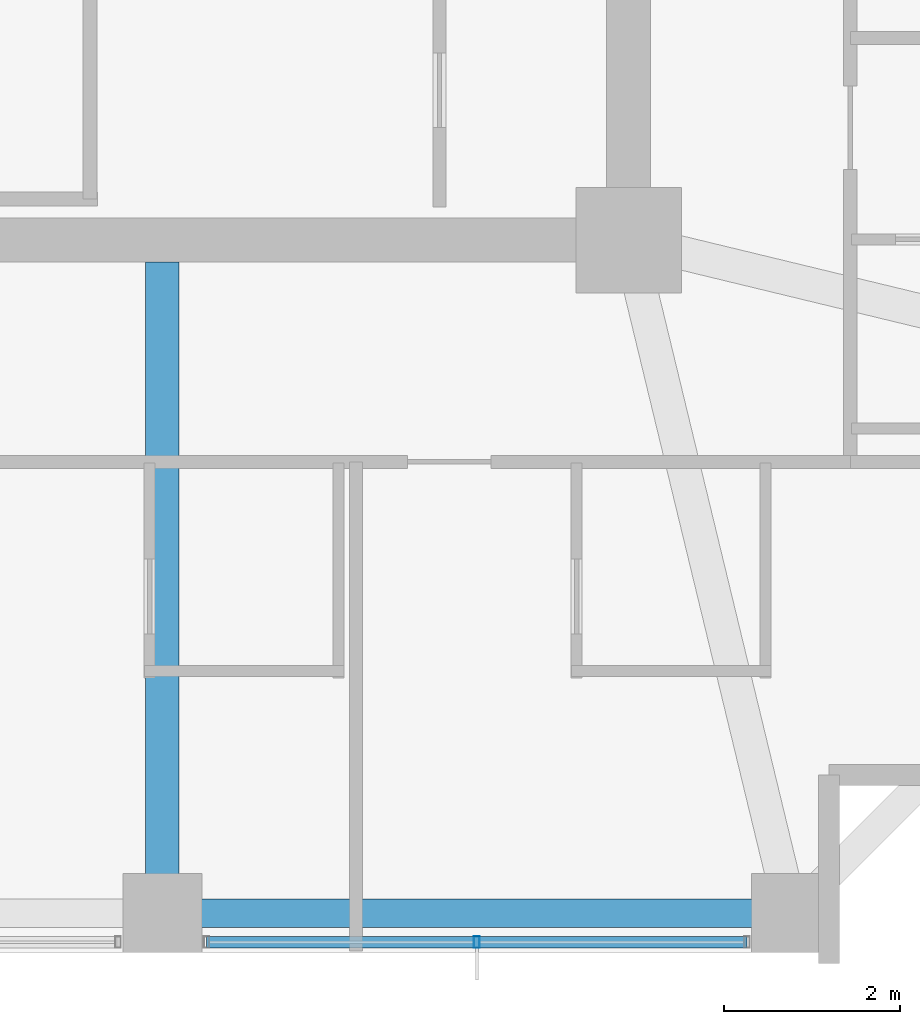
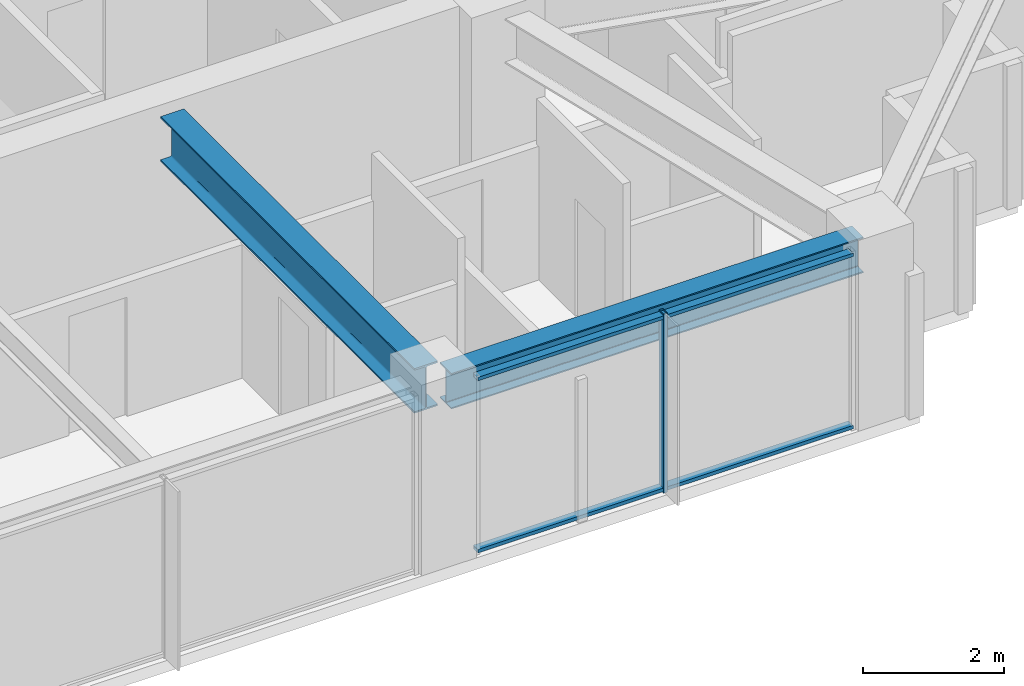
# One storey, part 7 of 32: 3 members, 2 beams, 1 element without a shape of its own.
"""IFC4 building model written with IfcOpenShell, lengths in metres."""

from ifc_helpers import new_model, si_unit, direction, frame, origin, origin_2d, place, context, subcontext, project, spatial, hollow_rectangle, i_section, extrude, material, material_profile, profile_set, type_object, element, aggregate, save


model = new_model("IFC4")

# Units and contexts
model_context = context("Model", 3, precision=1e-05, world=origin(), true_north=direction((0.0, 1.0)))
body_context = subcontext(model_context, "Body", "Model", "MODEL_VIEW")
ifc_project = project(units=[si_unit("LENGTHUNIT", "METRE"), si_unit("AREAUNIT", "SQUARE_METRE"), si_unit("VOLUMEUNIT", "CUBIC_METRE"), si_unit("PLANEANGLEUNIT", "RADIAN"), si_unit("MASSUNIT", "GRAM", prefix="KILO")], contexts=[model_context])

# Site, building, storey
site_placement = place(None, origin())
site = spatial("IfcSite", under=ifc_project, at=site_placement, CompositionType="ELEMENT")
building_placement = place(site_placement, origin())
building = spatial("IfcBuilding", under=site, at=building_placement, Name="Kolvaren Belvedere", CompositionType="ELEMENT")
storey_placement = place(building_placement, frame((0.0, 0.0, 141.5)))
storey = spatial("IfcBuildingStorey", under=building, at=storey_placement, Name="L41", CompositionType="ELEMENT", Elevation=141.5)

# Beams
ifc_material_1 = material(Name="Structural steel ASTM A992 Grade 50", Category="steel")
ifc_material_profile_1 = material_profile(ifc_material_1, i_section(OverallWidth=0.381103515625, OverallDepth=0.77294921875, WebThickness=0.0166015625, FlangeThickness=0.027099609375, FilletRadius=0.02392578125, at=origin_2d()), Name="W30X173")
ifc_profile_set_1 = profile_set([ifc_material_profile_1], Name="Structural steel ASTM A992 Grade 50")
beam_type_1 = type_object("IfcBeamType", Name="BM-GIRD-W30X173", PredefinedType="BEAM", material=ifc_profile_set_1)
beam_1_placement = place(storey_placement, frame((4.60009765625, -10.14990234375, 2.71337890625), z_axis=(0.0, -1.0, 0.0), x_axis=(1.0, 0.0, 0.0)))
element("IfcBeam", 1, at=beam_1_placement, inside=storey, type_object=beam_type_1, Name="L41 South Radial Girder P", PredefinedType="BEAM", context=body_context, shape_type="SweptSolid", body=[
    extrude(i_section(OverallWidth=0.381103515625, OverallDepth=0.77294921875, WebThickness=0.0166015625, FlangeThickness=0.027099609375, FilletRadius=0.02392578125, at=origin_2d()), origin(), (0.0, 0.0, 1.0), 7.197509765625),
])
ifc_material_2 = material(Name="Structural steel ASTM A992 Grade 50", Category="steel")
ifc_material_profile_2 = material_profile(ifc_material_2, i_section(OverallWidth=0.324951171875, OverallDepth=0.615966796875, WebThickness=0.013916015625, FlangeThickness=0.021484375, FilletRadius=0.02001953125, at=origin_2d()), Name="W24X117")
ifc_profile_set_2 = profile_set([ifc_material_profile_2], Name="Structural steel ASTM A992 Grade 50")
beam_type_2 = type_object("IfcBeamType", Name="BM-SPAN-W24X117", PredefinedType="SPANDREL", material=ifc_profile_set_2)
beam_2_placement = place(storey_placement, frame((4.802490234375, -17.550048828125, 2.7919921875), z_axis=(1.0, 0.0, 0.0), x_axis=(0.0, 1.0, 0.0)))
element("IfcBeam", 2, at=beam_2_placement, inside=storey, type_object=beam_type_2, Name="L41 Perimeter Spandrel S3-S4", PredefinedType="SPANDREL", context=body_context, shape_type="SweptSolid", body=[
    extrude(i_section(OverallWidth=0.324951171875, OverallDepth=0.615966796875, WebThickness=0.013916015625, FlangeThickness=0.021484375, FilletRadius=0.02001953125, at=origin_2d()), origin(), (0.0, 0.0, 1.0), 6.7451171875),
])

# Curtain wall, members
ifc_material_3 = material(Name="Anodised pale-metal aluminium AA 6063-T6", Category="aluminium")
curtain_wall_type = type_object("IfcCurtainWallType", Name="CW-Z3-WAIST", PredefinedType="NOTDEFINED", material=ifc_material_3)
curtain_wall_placement = place(storey_placement, origin())
curtain_wall = element("IfcCurtainWall", 3, at=curtain_wall_placement, inside=storey, type_object=curtain_wall_type, Name="L41 Unitised Curtain Wall FCW-L41-S-B1", PredefinedType="NOTDEFINED")
ifc_material_4 = material(Name="Anodised pale-metal aluminium AA 6063-T6", Category="aluminium")
ifc_material_profile_3 = material_profile(ifc_material_4, hollow_rectangle(XDim=0.06494140625, YDim=0.1298828125, WallThickness=0.00390625, at=origin_2d()), Name="ALU-MUL-130X65")
ifc_profile_set_3 = profile_set([ifc_material_profile_3], Name="Anodised pale-metal aluminium AA 6063-T6")
member_type_1 = type_object("IfcMemberType", Name="CW-MUL-130", PredefinedType="MULLION", material=ifc_profile_set_3)
member_1_placement = place(storey_placement, frame((8.175048828125, -17.8798828125, 0.0), z_axis=(0.0, 0.0, 1.0), x_axis=(1.0, 0.0, 0.0)))
member_1 = element("IfcMember", 4, at=member_1_placement, type_object=member_type_1, Name="FCW-L41-S-B1 Unitised Mullion 2", PredefinedType="MULLION", context=body_context, shape_type="SweptSolid", body=[
    extrude(hollow_rectangle(XDim=0.06494140625, YDim=0.1298828125, WallThickness=0.00390625, at=origin_2d()), origin(), (0.0, 0.0, 1.0), 3.10009765625),
])
ifc_material_5 = material(Name="Anodised pale-metal aluminium AA 6063-T6", Category="aluminium")
ifc_material_profile_4 = material_profile(ifc_material_5, hollow_rectangle(XDim=0.06005859375, YDim=0.1298828125, WallThickness=0.00390625, at=origin_2d()), Name="ALU-TRN-130X60")
ifc_profile_set_4 = profile_set([ifc_material_profile_4], Name="Anodised pale-metal aluminium AA 6063-T6")
member_type_2 = type_object("IfcMemberType", Name="CW-TRN-130", PredefinedType="USERDEFINED", material=ifc_profile_set_4)
member_2_placement = place(storey_placement, frame((11.24755859375, -17.8798828125, 0.06005859375), z_axis=(-1.0, 0.0, 0.0), x_axis=(0.0, 0.0, 1.0)))
member_2 = element("IfcMember", 5, at=member_2_placement, type_object=member_type_2, Name="FCW-L41-S-B1 Sill Transom", ObjectType="TRANSOM", PredefinedType="USERDEFINED", context=body_context, shape_type="SweptSolid", body=[
    extrude(hollow_rectangle(XDim=0.06005859375, YDim=0.1298828125, WallThickness=0.00390625, at=origin_2d()), origin(), (0.0, 0.0, 1.0), 6.14501953125),
])
member_3_placement = place(storey_placement, frame((11.24755859375, -17.8798828125, 3.0400390625), z_axis=(-1.0, 0.0, 0.0), x_axis=(0.0, 0.0, 1.0)))
member_3 = element("IfcMember", 6, at=member_3_placement, type_object=member_type_2, Name="FCW-L41-S-B1 Head Transom", ObjectType="TRANSOM", PredefinedType="USERDEFINED", context=body_context, shape_type="SweptSolid", body=[
    extrude(hollow_rectangle(XDim=0.06005859375, YDim=0.1298828125, WallThickness=0.00390625, at=origin_2d()), origin(), (0.0, 0.0, 1.0), 6.14501953125),
])
aggregate(curtain_wall, [member_1, member_2, member_3])

save(model, "model.ifc")
